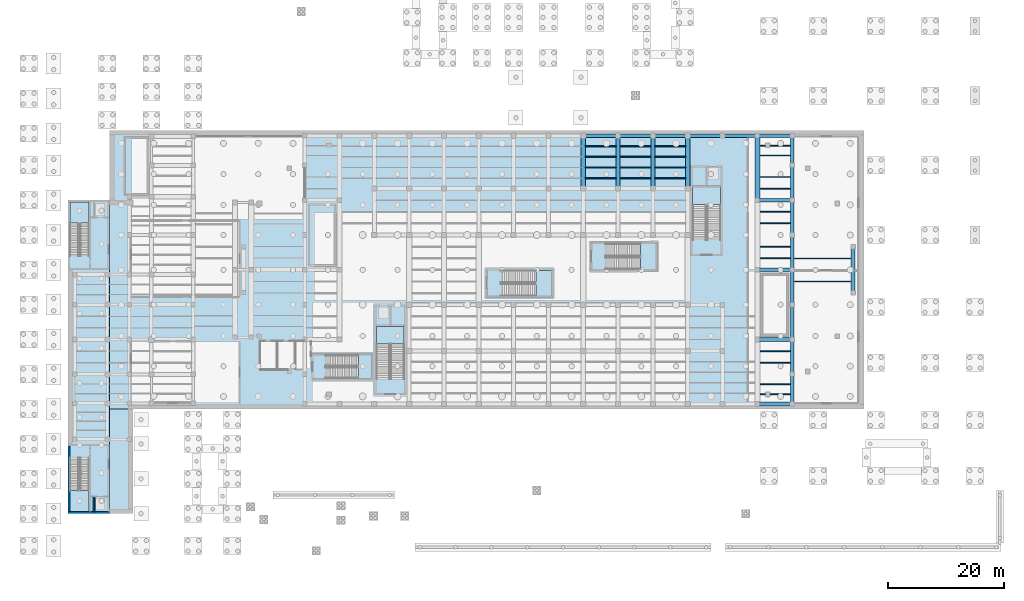
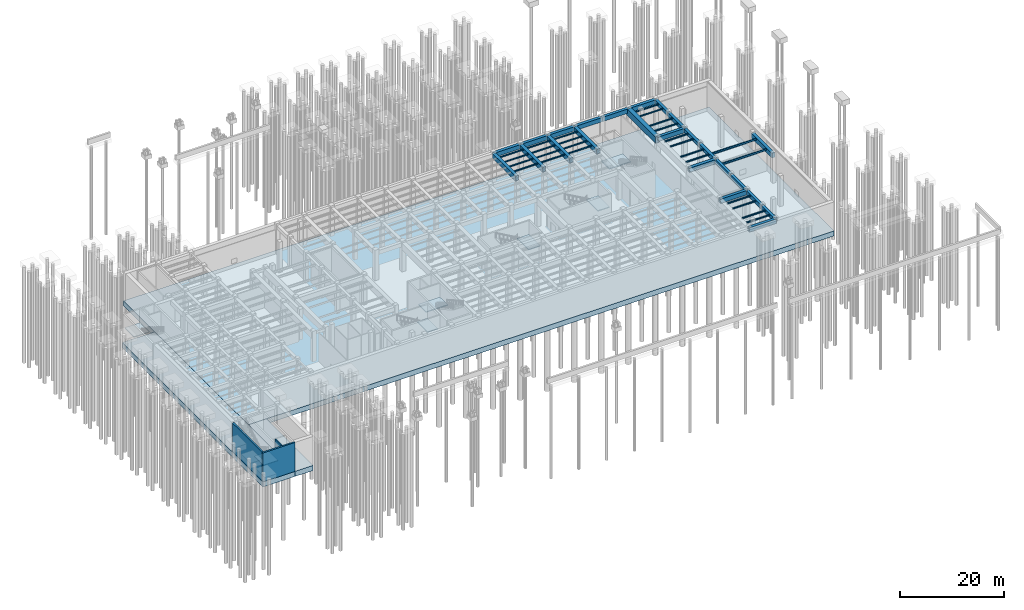
# One storey, part 12 of 30: 50 beams, 10 slabs, 3 walls, 7 elements without a shape of their own.
"""IFC4 building model written with IfcOpenShell, lengths in metres."""

from ifc_helpers import new_model, si_unit, direction, frame, frame_2d, origin, origin_2d, place, context, subcontext, project, spatial, polyline, rectangle, i_section, outline, extrude, material, layer, layer_set, material_profile, profile_set, type_object, element, aggregate, save


model = new_model("IFC4")

# Units and contexts
model_context = context("Model", 3, precision=1e-05, world=origin(), true_north=direction((0.0, 1.0)))
body_context = subcontext(model_context, "Body", "Model", "MODEL_VIEW")
ifc_project = project(units=[si_unit("LENGTHUNIT", "METRE"), si_unit("AREAUNIT", "SQUARE_METRE"), si_unit("VOLUMEUNIT", "CUBIC_METRE"), si_unit("PLANEANGLEUNIT", "RADIAN"), si_unit("MASSUNIT", "GRAM", prefix="KILO")], contexts=[model_context])

# Site, building, storey
site_placement = place(None, origin())
site = spatial("IfcSite", under=ifc_project, at=site_placement, CompositionType="ELEMENT")
building_placement = place(site_placement, origin())
building = spatial("IfcBuilding", under=site, at=building_placement, Name="Kolvaren Corner Interchange", CompositionType="ELEMENT")
storey_placement = place(building_placement, frame((0.0, 0.0, -7.199951171875)))
storey = spatial("IfcBuildingStorey", under=building, at=storey_placement, Name="B1", CompositionType="ELEMENT", Elevation=-7.199951171875)

# Beams
ifc_material_1 = material(Name="Concrete C40/50", Category="concrete")
ifc_material_profile_1 = material_profile(ifc_material_1, rectangle(XDim=0.60009765625, YDim=0.89990234375, at=origin_2d()), Name="RC 600x900")
ifc_profile_set_1 = profile_set([ifc_material_profile_1], Name="Concrete C40/50")
beam_type_1 = type_object("IfcBeamType", Name="BM-RC600x900", PredefinedType="BEAM", material=ifc_profile_set_1)
beam_1_placement = place(storey_placement, frame((132.0, 24.89990234375, 6.349853515625), z_axis=(0.0, 1.0, 0.0), x_axis=(-1.0, 0.0, 0.0)))
element("IfcBeam", 1, at=beam_1_placement, inside=storey, type_object=beam_type_1, Name="Storey B1 Grid Y Primary Girder 0200", PredefinedType="BEAM", context=body_context, shape_type="SweptSolid", body=[
    extrude(rectangle(XDim=0.60009765625, YDim=0.89990234375, at=origin_2d()), origin(), (0.0, 0.0, 1.0), 5.10009765625),
])
for number, where, z_axis, x_axis, name in (
    (2, (132.0, 30.0, 6.349853515625), (0.0, 1.0, 0.0), (-1.0, 0.0, 0.0), "Storey B1 Grid Y Primary Girder 0201"),
    (3, (132.0, 36.0, 6.349853515625), (0.0, 1.0, 0.0), (-1.0, 0.0, 0.0), "Storey B1 Grid Y Primary Girder 0202"),
    (4, (132.0, 42.0, 6.349853515625), (0.0, 1.0, 0.0), (-1.0, 0.0, 0.0), "Storey B1 Grid Y Primary Girder 0203"),
    (5, (132.0, 48.0, 6.349853515625), (0.0, 1.0, 0.0), (-1.0, 0.0, 0.0), "Storey B1 Grid Y Primary Girder 0204"),
    (6, (132.0, 54.0, 6.349853515625), (0.0, 1.0, 0.0), (-1.0, 0.0, 0.0), "Storey B1 Grid Y Primary Girder 0205"),
    (7, (132.0, 60.0, 6.349853515625), (0.0, 1.0, 0.0), (-1.0, 0.0, 0.0), "Storey B1 Grid Y Primary Girder 0206"),
):
    element("IfcBeam", number, at=place(storey_placement, frame(where, z_axis=z_axis, x_axis=x_axis)), inside=storey, type_object=beam_type_1, Name=name, PredefinedType="BEAM", context=body_context, shape_type="SweptSolid", body=[
        extrude(rectangle(XDim=0.60009765625, YDim=0.89990234375, at=origin_2d()), origin(), (0.0, 0.0, 1.0), 6.0),
    ])
beam_2_placement = place(storey_placement, frame((132.0, 66.0, 6.349853515625), z_axis=(0.0, 1.0, 0.0), x_axis=(-1.0, 0.0, 0.0)))
element("IfcBeam", 8, at=beam_2_placement, inside=storey, type_object=beam_type_1, Name="Storey B1 Grid Y Primary Girder 0207", PredefinedType="BEAM", context=body_context, shape_type="SweptSolid", body=[
    extrude(rectangle(XDim=0.60009765625, YDim=0.89990234375, at=origin_2d()), origin(), (0.0, 0.0, 1.0), 5.10009765625),
])
ifc_material_2 = material(Name="Concrete C40/50", Category="concrete")
ifc_material_profile_2 = material_profile(ifc_material_2, rectangle(XDim=0.64990234375, YDim=1.0, at=origin_2d()), Name="RC 650x1000")
ifc_profile_set_2 = profile_set([ifc_material_profile_2], Name="Concrete C40/50")
beam_type_2 = type_object("IfcBeamType", Name="BM-RC650x1000", PredefinedType="BEAM", material=ifc_profile_set_2)
for number, where, z_axis, x_axis, name in (
    (9, (126.0, 24.89990234375, 6.300048828125), (1.0, 0.0, 0.0), (0.0, 1.0, 0.0), "Storey B1 Grid X Primary Girder 0016"),
    (10, (126.0, 36.0, 6.300048828125), (1.0, 0.0, 0.0), (0.0, 1.0, 0.0), "Storey B1 Grid X Primary Girder 0039"),
    (11, (126.0, 48.0, 6.300048828125), (1.0, 0.0, 0.0), (0.0, 1.0, 0.0), "Storey B1 Grid X Primary Girder 0061"),
    (12, (126.0, 60.0, 6.300048828125), (1.0, 0.0, 0.0), (0.0, 1.0, 0.0), "Storey B1 Grid X Primary Girder 0075"),
    (13, (96.0, 71.10009765625, 6.300048828125), (1.0, 0.0, 0.0), (0.0, 1.0, 0.0), "Storey B1 Grid X Primary Girder 0097"),
    (14, (102.0, 71.10009765625, 6.300048828125), (1.0, 0.0, 0.0), (0.0, 1.0, 0.0), "Storey B1 Grid X Primary Girder 0098"),
    (15, (108.0, 71.10009765625, 6.300048828125), (1.0, 0.0, 0.0), (0.0, 1.0, 0.0), "Storey B1 Grid X Primary Girder 0099"),
    (16, (114.0, 71.10009765625, 6.300048828125), (1.0, 0.0, 0.0), (0.0, 1.0, 0.0), "Storey B1 Grid X Primary Girder 0100"),
    (17, (120.0, 71.10009765625, 6.300048828125), (1.0, 0.0, 0.0), (0.0, 1.0, 0.0), "Storey B1 Grid X Primary Girder 0101"),
    (18, (126.0, 71.10009765625, 6.300048828125), (1.0, 0.0, 0.0), (0.0, 1.0, 0.0), "Storey B1 Grid X Primary Girder 0102"),
):
    element("IfcBeam", number, at=place(storey_placement, frame(where, z_axis=z_axis, x_axis=x_axis)), inside=storey, type_object=beam_type_2, Name=name, PredefinedType="BEAM", context=body_context, shape_type="SweptSolid", body=[
        extrude(rectangle(XDim=0.64990234375, YDim=1.0, at=origin_2d()), origin(), (0.0, 0.0, 1.0), 6.0),
    ])
ifc_material_3 = material(Name="Concrete C40/50", Category="concrete")
ifc_material_profile_3 = material_profile(ifc_material_3, rectangle(XDim=0.699951171875, YDim=1.10009765625, at=origin_2d()), Name="RC 700x1100")
ifc_profile_set_3 = profile_set([ifc_material_profile_3], Name="Concrete C40/50")
beam_type_3 = type_object("IfcBeamType", Name="BM-RC700x1100", PredefinedType="BEAM", material=ifc_profile_set_3)
for number, where, z_axis, x_axis, name in (
    (19, (96.0, 62.0, 6.25), (0.0, 1.0, 0.0), (-1.0, 0.0, 0.0), "Storey B1 Grid Y Primary Girder 0180"),
    (20, (102.0, 62.0, 6.25), (0.0, 1.0, 0.0), (-1.0, 0.0, 0.0), "Storey B1 Grid Y Primary Girder 0184"),
    (21, (108.0, 62.0, 6.25), (0.0, 1.0, 0.0), (-1.0, 0.0, 0.0), "Storey B1 Grid Y Primary Girder 0188"),
    (22, (114.0, 62.0, 6.25), (0.0, 1.0, 0.0), (-1.0, 0.0, 0.0), "Storey B1 Grid Y Primary Girder 0193"),
):
    element("IfcBeam", number, at=place(storey_placement, frame(where, z_axis=z_axis, x_axis=x_axis)), inside=storey, type_object=beam_type_3, Name=name, PredefinedType="BEAM", context=body_context, shape_type="SweptSolid", body=[
        extrude(rectangle(XDim=0.699951171875, YDim=1.10009765625, at=origin_2d()), origin(), (0.0, 0.0, 1.0), 9.10009765625),
    ])
beam_3_placement = place(storey_placement, frame((142.5029296875, 44.031982421875, 6.25), z_axis=(0.0, 1.0, 0.0), x_axis=(-1.0, 0.0, 0.0)))
element("IfcBeam", 23, at=beam_3_placement, inside=storey, type_object=beam_type_3, Name="Storey B1 Grid Y Primary Girder 0208", PredefinedType="BEAM", context=body_context, shape_type="SweptSolid", body=[
    extrude(rectangle(XDim=0.699951171875, YDim=1.10009765625, at=origin_2d()), origin(), (0.0, 0.0, 1.0), 7.93603515625),
])
ifc_material_4 = material(Name="Concrete C40/50", Category="concrete")
ifc_material_profile_4 = material_profile(ifc_material_4, rectangle(XDim=0.89990234375, YDim=1.5, at=origin_2d()), Name="RC 900x1500")
ifc_profile_set_4 = profile_set([ifc_material_profile_4], Name="Concrete C40/50")
beam_type_4 = type_object("IfcBeamType", Name="BM-RC900x1500", PredefinedType="BEAM", material=ifc_profile_set_4)
beam_4_placement = place(storey_placement, frame((126.0, 60.0, 6.050048828125), z_axis=(0.0, 1.0, 0.0), x_axis=(-1.0, 0.0, 0.0)))
element("IfcBeam", 24, at=beam_4_placement, inside=storey, type_object=beam_type_4, Name="Storey B1 Grid Y Primary Girder 0199", PredefinedType="BEAM", context=body_context, shape_type="SweptSolid", body=[
    extrude(rectangle(XDim=0.89990234375, YDim=1.5, at=origin_2d()), origin(), (0.0, 0.0, 1.0), 11.10009765625),
])
ifc_material_5 = material(Name="Steel S355", Category="steel")
ifc_material_profile_5 = material_profile(ifc_material_5, i_section(OverallWidth=0.159912109375, OverallDepth=0.330078125, WebThickness=0.007568359375, FlangeThickness=0.011474609375, FilletRadius=0.01806640625, at=origin_2d()), Name="IPE 330")
ifc_profile_set_5 = profile_set([ifc_material_profile_5], Name="Steel S355")
beam_type_5 = type_object("IfcBeamType", Name="JS-IPE330", PredefinedType="JOIST", material=ifc_profile_set_5)
for number, where, z_axis, x_axis, name in (
    (25, (96.35009765625, 63.820068359375, 6.635009765625), (1.0, 0.0, 0.0), (0.0, 1.0, 0.0), "Storey B1 Composite Floor Joist 0179"),
    (26, (96.35009765625, 65.639892578125, 6.635009765625), (1.0, 0.0, 0.0), (0.0, 1.0, 0.0), "Storey B1 Composite Floor Joist 0180"),
    (27, (96.35009765625, 67.4599609375, 6.635009765625), (1.0, 0.0, 0.0), (0.0, 1.0, 0.0), "Storey B1 Composite Floor Joist 0181"),
    (28, (96.35009765625, 69.280029296875, 6.635009765625), (1.0, 0.0, 0.0), (0.0, 1.0, 0.0), "Storey B1 Composite Floor Joist 0182"),
    (29, (102.35009765625, 63.820068359375, 6.635009765625), (1.0, 0.0, 0.0), (0.0, 1.0, 0.0), "Storey B1 Composite Floor Joist 0193"),
    (30, (102.35009765625, 65.639892578125, 6.635009765625), (1.0, 0.0, 0.0), (0.0, 1.0, 0.0), "Storey B1 Composite Floor Joist 0194"),
    (31, (102.35009765625, 67.4599609375, 6.635009765625), (1.0, 0.0, 0.0), (0.0, 1.0, 0.0), "Storey B1 Composite Floor Joist 0195"),
    (32, (102.35009765625, 69.280029296875, 6.635009765625), (1.0, 0.0, 0.0), (0.0, 1.0, 0.0), "Storey B1 Composite Floor Joist 0196"),
    (33, (108.35009765625, 63.820068359375, 6.635009765625), (1.0, 0.0, 0.0), (0.0, 1.0, 0.0), "Storey B1 Composite Floor Joist 0207"),
    (34, (108.35009765625, 65.639892578125, 6.635009765625), (1.0, 0.0, 0.0), (0.0, 1.0, 0.0), "Storey B1 Composite Floor Joist 0208"),
    (35, (108.35009765625, 67.4599609375, 6.635009765625), (1.0, 0.0, 0.0), (0.0, 1.0, 0.0), "Storey B1 Composite Floor Joist 0209"),
    (36, (108.35009765625, 69.280029296875, 6.635009765625), (1.0, 0.0, 0.0), (0.0, 1.0, 0.0), "Storey B1 Composite Floor Joist 0210"),
):
    element("IfcBeam", number, at=place(storey_placement, frame(where, z_axis=z_axis, x_axis=x_axis)), inside=storey, type_object=beam_type_5, Name=name, PredefinedType="JOIST", context=body_context, shape_type="SweptSolid", body=[
        extrude(i_section(OverallWidth=0.159912109375, OverallDepth=0.330078125, WebThickness=0.007568359375, FlangeThickness=0.011474609375, FilletRadius=0.01806640625, at=origin_2d()), origin(), (0.0, 0.0, 1.0), 5.2998046875),
    ])
for number, where, z_axis, x_axis, name in (
    (37, (126.449951171875, 26.60009765625, 6.635009765625), (1.0, 0.0, 0.0), (0.0, 1.0, 0.0), "Storey B1 Composite Floor Joist 0224"),
    (38, (126.449951171875, 28.300048828125, 6.635009765625), (1.0, 0.0, 0.0), (0.0, 1.0, 0.0), "Storey B1 Composite Floor Joist 0225"),
    (39, (126.449951171875, 32.0, 6.635009765625), (1.0, 0.0, 0.0), (0.0, 1.0, 0.0), "Storey B1 Composite Floor Joist 0226"),
    (40, (126.449951171875, 34.0, 6.635009765625), (1.0, 0.0, 0.0), (0.0, 1.0, 0.0), "Storey B1 Composite Floor Joist 0227"),
    (41, (126.449951171875, 50.0, 6.635009765625), (1.0, 0.0, 0.0), (0.0, 1.0, 0.0), "Storey B1 Composite Floor Joist 0228"),
    (42, (126.449951171875, 52.0, 6.635009765625), (1.0, 0.0, 0.0), (0.0, 1.0, 0.0), "Storey B1 Composite Floor Joist 0229"),
    (43, (126.449951171875, 56.0, 6.635009765625), (1.0, 0.0, 0.0), (0.0, 1.0, 0.0), "Storey B1 Composite Floor Joist 0230"),
    (44, (126.449951171875, 58.0, 6.635009765625), (1.0, 0.0, 0.0), (0.0, 1.0, 0.0), "Storey B1 Composite Floor Joist 0231"),
    (45, (126.449951171875, 62.0, 6.635009765625), (1.0, 0.0, 0.0), (0.0, 1.0, 0.0), "Storey B1 Composite Floor Joist 0232"),
    (46, (126.449951171875, 64.0, 6.635009765625), (1.0, 0.0, 0.0), (0.0, 1.0, 0.0), "Storey B1 Composite Floor Joist 0233"),
    (47, (126.449951171875, 67.699951171875, 6.635009765625), (1.0, 0.0, 0.0), (0.0, 1.0, 0.0), "Storey B1 Composite Floor Joist 0234"),
    (48, (126.449951171875, 69.39990234375, 6.635009765625), (1.0, 0.0, 0.0), (0.0, 1.0, 0.0), "Storey B1 Composite Floor Joist 0235"),
):
    element("IfcBeam", number, at=place(storey_placement, frame(where, z_axis=z_axis, x_axis=x_axis)), inside=storey, type_object=beam_type_5, Name=name, PredefinedType="JOIST", context=body_context, shape_type="SweptSolid", body=[
        extrude(i_section(OverallWidth=0.159912109375, OverallDepth=0.330078125, WebThickness=0.007568359375, FlangeThickness=0.011474609375, FilletRadius=0.01806640625, at=origin_2d()), origin(), (0.0, 0.0, 1.0), 5.25),
    ])
ifc_material_6 = material(Name="Steel S355", Category="steel")
ifc_material_profile_6 = material_profile(ifc_material_6, i_section(OverallWidth=0.18994140625, OverallDepth=0.449951171875, WebThickness=0.009521484375, FlangeThickness=0.0146484375, FilletRadius=0.02099609375, at=origin_2d()), Name="IPE 450")
ifc_profile_set_6 = profile_set([ifc_material_profile_6], Name="Steel S355")
beam_type_6 = type_object("IfcBeamType", Name="JS-IPE450", PredefinedType="JOIST", material=ifc_profile_set_6)
for number, where, z_axis, x_axis, name in (
    (49, (132.300048828125, 46.01611328125, 6.574951171875), (1.0, 0.0, 0.0), (0.0, 1.0, 0.0), "Storey B1 Composite Floor Joist 0236"),
    (50, (132.300048828125, 49.98388671875, 6.574951171875), (1.0, 0.0, 0.0), (0.0, 1.0, 0.0), "Storey B1 Composite Floor Joist 0237"),
):
    element("IfcBeam", number, at=place(storey_placement, frame(where, z_axis=z_axis, x_axis=x_axis)), inside=storey, type_object=beam_type_6, Name=name, PredefinedType="JOIST", context=body_context, shape_type="SweptSolid", body=[
        extrude(i_section(OverallWidth=0.18994140625, OverallDepth=0.449951171875, WebThickness=0.009521484375, FlangeThickness=0.0146484375, FilletRadius=0.02099609375, at=origin_2d()), origin(), (0.0, 0.0, 1.0), 9.85302734375),
    ])

# Slabs
ifc_material_7 = material(Name="Concrete C40/50", Category="concrete")
ifc_layer_1 = layer(ifc_material_7, 1.199951171875)
ifc_layer_set_1 = layer_set([ifc_layer_1], Name="Concrete C40/50")
slab_type_1 = type_object("IfcSlabType", Name="SL-RAFT-1200", PredefinedType="BASESLAB", material=ifc_layer_set_1)
slab_1_placement = place(storey_placement, frame((0.0, 0.0, -1.199951171875)))
element("IfcSlab", 51, at=slab_1_placement, inside=storey, type_object=slab_type_1, Name="Basement B1 Metro Station Waterproof Base Raft Slab", PredefinedType="BASESLAB", context=body_context, shape_type="SweptSolid", body=[
    extrude(outline(polyline([(14.39990234375, 24.0), (144.39990234375, 24.0), (144.39990234375, 72.0), (14.39990234375, 72.0), (14.39990234375, 24.0)])), origin(), (0.0, 0.0, 1.0), 1.199951171875),
])
slab_2_placement = place(storey_placement, frame((0.0, 0.0, -1.199951171875)))
element("IfcSlab", 52, at=slab_2_placement, inside=storey, type_object=slab_type_1, Name="Basement B1 West Firefighting Core Base Raft Slab", PredefinedType="BASESLAB", context=body_context, shape_type="SweptSolid", body=[
    extrude(outline(polyline([(7.199951171875, 6.0), (14.39990234375, 6.0), (14.39990234375, 60.0), (7.199951171875, 60.0), (7.199951171875, 6.0)])), origin(), (0.0, 0.0, 1.0), 1.199951171875),
])
slab_3_placement = place(storey_placement, frame((0.0, 0.0, -1.199951171875)))
element("IfcSlab", 53, at=slab_3_placement, inside=storey, type_object=slab_type_1, Name="Basement B1 Southwest Transfer Gallery Base Raft Slab", PredefinedType="BASESLAB", context=body_context, shape_type="SweptSolid", body=[
    extrude(outline(polyline([(14.39990234375, 6.0), (18.39990234375, 6.0), (18.39990234375, 24.0), (14.39990234375, 24.0), (14.39990234375, 6.0)])), origin(), (0.0, 0.0, 1.0), 1.199951171875),
])

# Stair, slab
ifc_material_8 = material(Name="Concrete C35/45", Category="concrete")
stair_type_1 = type_object("IfcStairType", Name="ST-FF-1550", PredefinedType="HALF_TURN_STAIR", material=ifc_material_8)
stair_1_placement = place(storey_placement, origin())
stair_1 = element("IfcStair", 54, at=stair_1_placement, inside=storey, type_object=stair_type_1, Name="Core C1 Southwest Firefighting Stair B1 to L01 Stair", PredefinedType="HALF_TURN_STAIR")
ifc_material_9 = material(Name="Concrete C35/45", Category="concrete")
ifc_layer_2 = layer(ifc_material_9, 0.199951171875)
ifc_layer_set_2 = layer_set([ifc_layer_2], Name="Concrete C35/45")
slab_type_2 = type_object("IfcSlabType", Name="SL-STAIR-LAND200", PredefinedType="LANDING", material=ifc_layer_set_2)
slab_4_placement = place(storey_placement, frame((0.0, 0.0, 3.39990234375)))
slab_4 = element("IfcSlab", 55, at=slab_4_placement, type_object=slab_type_2, Name="Core C1 Southwest Firefighting Stair B1 Intermediate Half Landing Slab", PredefinedType="LANDING", context=body_context, shape_type="SweptSolid", body=[
    extrude(outline(polyline([(7.550048828125, 9.949951171875), (7.550048828125, 6.35009765625), (10.85009765625, 6.35009765625), (10.85009765625, 9.949951171875), (7.550048828125, 9.949951171875)])), origin(), (0.0, 0.0, 1.0), 0.199951171875),
])
aggregate(stair_1, [slab_4])

stair_2_placement = place(storey_placement, origin())
stair_2 = element("IfcStair", 56, at=stair_2_placement, inside=storey, type_object=stair_type_1, Name="Core C2 Northwest Firefighting Stair B1 to L01 Stair", PredefinedType="HALF_TURN_STAIR")
slab_5_placement = place(storey_placement, frame((0.0, 0.0, 3.39990234375)))
slab_5 = element("IfcSlab", 57, at=slab_5_placement, type_object=slab_type_2, Name="Core C2 Northwest Firefighting Stair B1 Intermediate Half Landing Slab", PredefinedType="LANDING", context=body_context, shape_type="SweptSolid", body=[
    extrude(outline(polyline([(10.85009765625, 56.050048828125), (10.85009765625, 59.64990234375), (7.550048828125, 59.64990234375), (7.550048828125, 56.050048828125), (10.85009765625, 56.050048828125)])), origin(), (0.0, 0.0, 1.0), 0.199951171875),
])
aggregate(stair_2, [slab_5])

ifc_material_10 = material(Name="Concrete C35/45", Category="concrete")
stair_type_2 = type_object("IfcStairType", Name="ST-TR-2300", PredefinedType="HALF_TURN_STAIR", material=ifc_material_10)
stair_3_placement = place(storey_placement, origin())
stair_3 = element("IfcStair", 58, at=stair_3_placement, inside=storey, type_object=stair_type_2, Name="Core C3 West Concourse Transfer Stair B1 to L01 Stair", PredefinedType="HALF_TURN_STAIR")
slab_6_placement = place(storey_placement, frame((0.0, 0.0, 3.39990234375)))
slab_6 = element("IfcSlab", 59, at=slab_6_placement, type_object=slab_type_2, Name="Core C3 West Concourse Transfer Stair B1 Intermediate Half Landing Slab", PredefinedType="LANDING", context=body_context, shape_type="SweptSolid", body=[
    extrude(outline(polyline([(65.14990234375, 35.22998046875), (65.14990234375, 38.25), (60.35009765625, 38.25), (60.35009765625, 35.22998046875), (65.14990234375, 35.22998046875)])), origin(), (0.0, 0.0, 1.0), 0.199951171875),
])
aggregate(stair_3, [slab_6])

stair_4_placement = place(storey_placement, origin())
stair_4 = element("IfcStair", 60, at=stair_4_placement, inside=storey, type_object=stair_type_2, Name="Core C4 East Concourse Transfer Stair B1 to L01 Stair", PredefinedType="HALF_TURN_STAIR")
slab_7_placement = place(storey_placement, frame((0.0, 0.0, 3.39990234375)))
slab_7 = element("IfcSlab", 61, at=slab_7_placement, type_object=slab_type_2, Name="Core C4 East Concourse Transfer Stair B1 Intermediate Half Landing Slab", PredefinedType="LANDING", context=body_context, shape_type="SweptSolid", body=[
    extrude(outline(polyline([(119.64990234375, 59.22998046875), (119.64990234375, 62.25), (114.85009765625, 62.25), (114.85009765625, 59.22998046875), (119.64990234375, 59.22998046875)])), origin(), (0.0, 0.0, 1.0), 0.199951171875),
])
aggregate(stair_4, [slab_7])

ifc_material_11 = material(Name="Concrete C35/45", Category="concrete")
stair_type_3 = type_object("IfcStairType", Name="ST-PL-2100", PredefinedType="HALF_TURN_STAIR", material=ifc_material_11)
stair_5_placement = place(storey_placement, origin())
stair_5 = element("IfcStair", 62, at=stair_5_placement, inside=storey, type_object=stair_type_3, Name="Metro Island Platform West Transfer Stair B1 to L01 Stair", PredefinedType="HALF_TURN_STAIR")
slab_8_placement = place(storey_placement, frame((0.0, 0.0, 3.39990234375)))
slab_8 = element("IfcSlab", 63, at=slab_8_placement, type_object=slab_type_2, Name="Metro Island Platform West Transfer Stair B1 Intermediate Half Landing Slab", PredefinedType="LANDING", context=body_context, shape_type="SweptSolid", body=[
    extrude(outline(polyline([(87.8798828125, 43.5), (90.5, 43.5), (90.5, 47.89990234375), (87.8798828125, 47.89990234375), (87.8798828125, 43.5)])), origin(), (0.0, 0.0, 1.0), 0.199951171875),
])
aggregate(stair_5, [slab_8])

stair_6_placement = place(storey_placement, origin())
stair_6 = element("IfcStair", 64, at=stair_6_placement, inside=storey, type_object=stair_type_3, Name="Metro Island Platform East Transfer Stair B1 to L01 Stair", PredefinedType="HALF_TURN_STAIR")
slab_9_placement = place(storey_placement, frame((0.0, 0.0, 3.39990234375)))
slab_9 = element("IfcSlab", 65, at=slab_9_placement, type_object=slab_type_2, Name="Metro Island Platform East Transfer Stair B1 Intermediate Half Landing Slab", PredefinedType="LANDING", context=body_context, shape_type="SweptSolid", body=[
    extrude(outline(polyline([(105.8798828125, 48.10009765625), (108.5, 48.10009765625), (108.5, 52.5), (105.8798828125, 52.5), (105.8798828125, 48.10009765625)])), origin(), (0.0, 0.0, 1.0), 0.199951171875),
])
aggregate(stair_6, [slab_9])

ifc_material_12 = material(Name="Concrete C35/45", Category="concrete")
stair_type_4 = type_object("IfcStairType", Name="ST-M1-1900", PredefinedType="HALF_TURN_STAIR", material=ifc_material_12)
stair_7_placement = place(storey_placement, origin())
stair_7 = element("IfcStair", 66, at=stair_7_placement, inside=storey, type_object=stair_type_4, Name="Metro West Plant and Gateline Exit Stair B1 to L01 Stair", PredefinedType="HALF_TURN_STAIR")
slab_10_placement = place(storey_placement, frame((0.0, 0.0, 3.39990234375)))
slab_10 = element("IfcSlab", 67, at=slab_10_placement, type_object=slab_type_2, Name="Metro West Plant and Gateline Exit Stair B1 Intermediate Half Landing Slab", PredefinedType="LANDING", context=body_context, shape_type="SweptSolid", body=[
    extrude(outline(polyline([(57.25, 29.300048828125), (59.5, 29.300048828125), (59.5, 33.300048828125), (57.25, 33.300048828125), (57.25, 29.300048828125)])), origin(), (0.0, 0.0, 1.0), 0.199951171875),
])
aggregate(stair_7, [slab_10])

# Walls
ifc_material_13 = material(Name="Concrete C35/45", Category="concrete")
ifc_layer_3 = layer(ifc_material_13, 0.35009765625)
ifc_layer_set_3 = layer_set([ifc_layer_3], Name="Concrete C35/45")
wall_type_1 = type_object("IfcWallType", Name="WL-CORE-350", PredefinedType="SHEAR", material=ifc_layer_set_3)
wall_1_placement = place(storey_placement, frame((7.199951171875, 6.175048828125, 0.0), z_axis=(0.0, 0.0, 1.0), x_axis=(1.0, 0.0, 0.0)))
element("IfcWall", 68, at=wall_1_placement, inside=storey, type_object=wall_type_1, Name="Core C1 B1 South Shear Wall", PredefinedType="SHEAR", context=body_context, shape_type="SweptSolid", body=[
    extrude(rectangle(XDim=7.199951171875, YDim=0.35009765625, at=frame_2d((3.60009765625, 0.0))), origin(), (0.0, 0.0, 1.0), 6.800048828125),
])
wall_2_placement = place(storey_placement, frame((7.375, 6.35009765625, 0.0), z_axis=(0.0, 0.0, 1.0), x_axis=(0.0, 1.0, 0.0)))
element("IfcWall", 69, at=wall_2_placement, inside=storey, type_object=wall_type_1, Name="Core C1 B1 West Shear Wall", PredefinedType="SHEAR", context=body_context, shape_type="SweptSolid", body=[
    extrude(rectangle(XDim=11.2998046875, YDim=0.35009765625, at=frame_2d((5.64990234375, 0.0))), origin(), (0.0, 0.0, 1.0), 6.800048828125),
])
ifc_material_14 = material(Name="Concrete C35/45", Category="concrete")
ifc_layer_4 = layer(ifc_material_14, 0.25)
ifc_layer_set_4 = layer_set([ifc_layer_4], Name="Concrete C35/45")
wall_type_2 = type_object("IfcWallType", Name="WT-SHAFT-RC250", PredefinedType="SHEAR", material=ifc_layer_set_4)
wall_3_placement = place(storey_placement, frame((11.675048828125, 6.35009765625, 0.0), z_axis=(0.0, 0.0, 1.0), x_axis=(0.0, 1.0, 0.0)))
element("IfcWall", 70, at=wall_3_placement, inside=storey, type_object=wall_type_2, Name="Core C1 B1 Firefighting Lift Side Shaft Wall", PredefinedType="SHEAR", context=body_context, shape_type="SweptSolid", body=[
    extrude(rectangle(XDim=2.474853515625, YDim=0.25, at=frame_2d((1.2373046875, 0.0))), origin(), (0.0, 0.0, 1.0), 6.800048828125),
])

save(model, "model.ifc")
